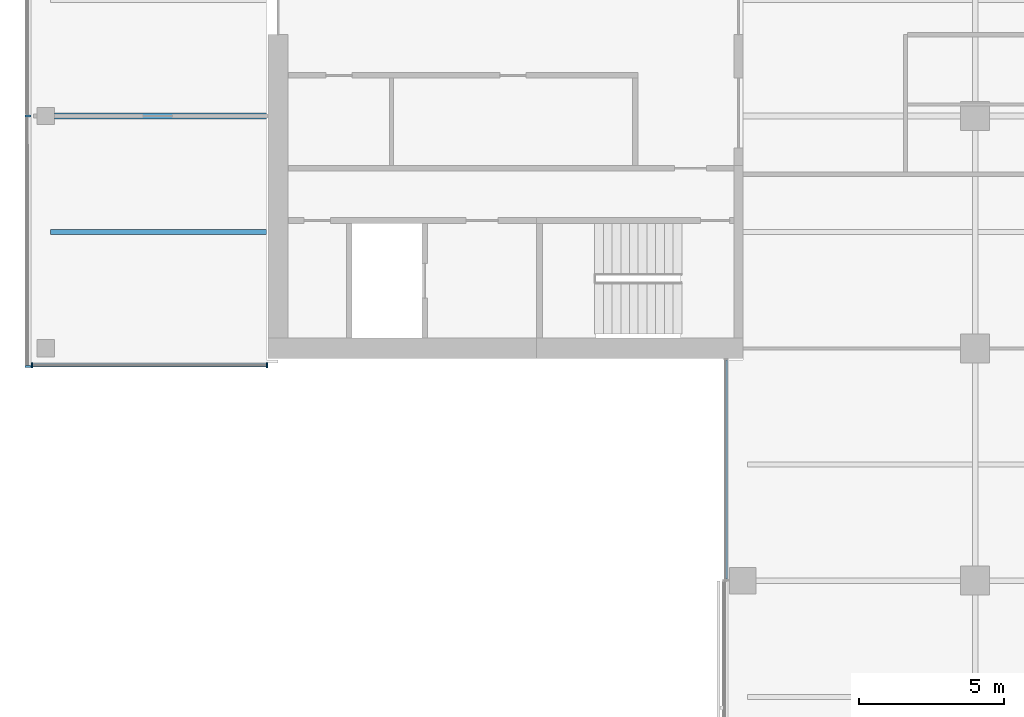
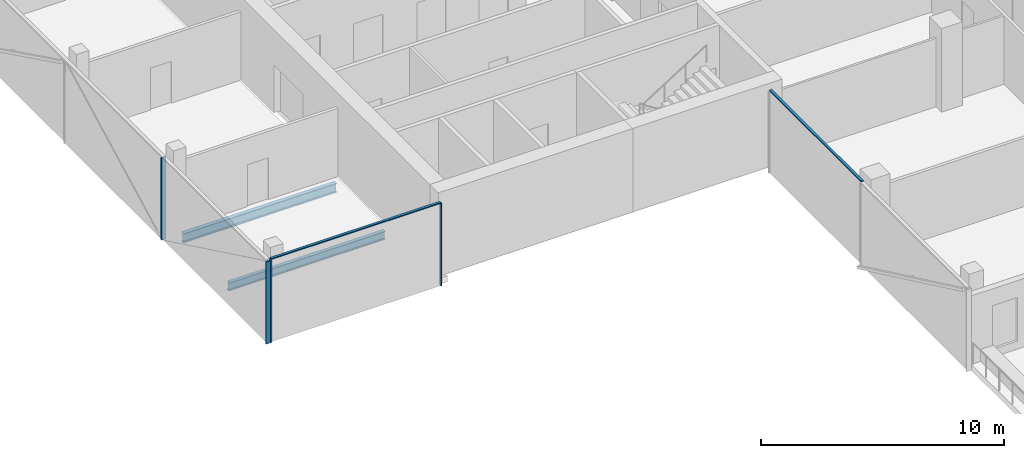
# One storey, part 3 of 24: 6 members, 2 beams, 3 elements without a shape of their own.
"""IFC4 building model written with IfcOpenShell, lengths in metres."""

from ifc_helpers import new_model, si_unit, direction, frame, origin, origin_2d, place, context, subcontext, project, spatial, rectangle, i_section, extrude, material, material_profile, profile_set, type_object, element, aggregate, save


model = new_model("IFC4")

# Units and contexts
model_context = context("Model", 3, precision=1e-05, world=origin(), true_north=direction((0.0, 1.0)))
body_context = subcontext(model_context, "Body", "Model", "MODEL_VIEW")
ifc_project = project(units=[si_unit("LENGTHUNIT", "METRE"), si_unit("AREAUNIT", "SQUARE_METRE"), si_unit("VOLUMEUNIT", "CUBIC_METRE"), si_unit("PLANEANGLEUNIT", "RADIAN"), si_unit("MASSUNIT", "GRAM", prefix="KILO")], contexts=[model_context])

# Site, building, storey
site_placement = place(None, origin())
site = spatial("IfcSite", under=ifc_project, at=site_placement, CompositionType="ELEMENT")
building_placement = place(site_placement, origin())
building = spatial("IfcBuilding", under=site, at=building_placement, Name="Crosswind Convention Tower", CompositionType="ELEMENT")
storey_placement = place(building_placement, frame((0.0, 0.0, 112.699951171875)))
storey = spatial("IfcBuildingStorey", under=building, at=storey_placement, Name="L22", CompositionType="ELEMENT", Elevation=112.699951171875)

# Beam
ifc_material_1 = material(Name="Steel S355", Category="steel")
ifc_material_profile_1 = material_profile(ifc_material_1, i_section(OverallWidth=0.19189453125, OverallDepth=0.463623046875, WebThickness=0.010498046875, FlangeThickness=0.017578125, FilletRadius=0.01025390625, at=origin_2d()), Name="UB 457x191x90")
ifc_profile_set_1 = profile_set([ifc_material_profile_1], Name="Steel S355")
beam_type_1 = type_object("IfcBeamType", Name="Girder at core wall UB 457x191x90", PredefinedType="BEAM", material=ifc_profile_set_1)
beam_1_placement = place(storey_placement, frame((89.300048828125, 96.0, -0.53173828125), z_axis=(1.0, 0.0, 0.0), x_axis=(0.0, 1.0, 0.0)))
element("IfcBeam", 1, at=beam_1_placement, inside=storey, type_object=beam_type_1, Name="B24 L22 girder at core wall 1", PredefinedType="BEAM", context=body_context, shape_type="SweptSolid", body=[
    extrude(i_section(OverallWidth=0.19189453125, OverallDepth=0.463623046875, WebThickness=0.010498046875, FlangeThickness=0.017578125, FilletRadius=0.01025390625, at=origin_2d()), origin(), (0.0, 0.0, 1.0), 7.300048828125),
])

# Curtain wall, members
ifc_material_2 = material(Name="Aluminium unitised curtain wall", Category="aluminium")
curtain_wall_type_1 = type_object("IfcCurtainWallType", Name="CORE END SLOT WALL 160", PredefinedType="USERDEFINED", material=ifc_material_2)
curtain_wall_1_placement = place(storey_placement, origin())
curtain_wall_1 = element("IfcCurtainWall", 2, at=curtain_wall_1_placement, inside=storey, type_object=curtain_wall_type_1, Name="CW6 L22 W-S.1-1 slot", ObjectType="UNITISED", PredefinedType="USERDEFINED")
ifc_material_3 = material(Name="Aluminium mullion", Category="aluminium")
ifc_material_profile_2 = material_profile(ifc_material_3, rectangle(XDim=0.159912109375, YDim=0.050048828125, at=origin_2d()), Name="AL 160X50")
ifc_profile_set_2 = profile_set([ifc_material_profile_2], Name="Aluminium mullion")
member_type_1 = type_object("IfcMemberType", Name="MULLION 50X160", PredefinedType="MULLION", material=ifc_profile_set_2)
member_1_placement = place(storey_placement, frame((88.52490234375, 87.419921875, -0.300048828125), z_axis=(0.0, 0.0, 1.0), x_axis=(0.0, -1.0, 0.0)))
member_1 = element("IfcMember", 3, at=member_1_placement, type_object=member_type_1, Name="CW6 mullion 1", PredefinedType="MULLION", context=body_context, shape_type="SweptSolid", body=[
    extrude(rectangle(XDim=0.159912109375, YDim=0.050048828125, at=origin_2d()), origin(), (0.0, 0.0, 1.0), 4.150146484375),
])
member_2_placement = place(storey_placement, frame((96.625, 87.419921875, -0.300048828125), z_axis=(0.0, 0.0, 1.0), x_axis=(0.0, -1.0, 0.0)))
member_2 = element("IfcMember", 4, at=member_2_placement, type_object=member_type_1, Name="CW6 mullion 2", PredefinedType="MULLION", context=body_context, shape_type="SweptSolid", body=[
    extrude(rectangle(XDim=0.159912109375, YDim=0.050048828125, at=origin_2d()), origin(), (0.0, 0.0, 1.0), 4.150146484375),
])

curtain_wall_type_2 = type_object("IfcCurtainWallType", Name="OFFICE UNITISED WALL 220", PredefinedType="USERDEFINED", material=ifc_material_2)
curtain_wall_2_placement = place(storey_placement, origin())
curtain_wall_2 = element("IfcCurtainWall", 5, at=curtain_wall_2_placement, inside=storey, type_object=curtain_wall_type_2, Name="CW3 L22 W-TIP 1", ObjectType="UNITISED", PredefinedType="USERDEFINED")
ifc_material_profile_3 = material_profile(ifc_material_3, rectangle(XDim=0.219970703125, YDim=0.070068359375, at=origin_2d()), Name="AL 220X70")
ifc_profile_set_3 = profile_set([ifc_material_profile_3], Name="Aluminium mullion")
member_type_2 = type_object("IfcMemberType", Name="MULLION 70X220", PredefinedType="MULLION", material=ifc_profile_set_3)
member_3_placement = place(storey_placement, frame((88.389892578125, 96.0, -0.300048828125), z_axis=(0.0, 0.0, 1.0), x_axis=(-1.0, 0.0, 0.0)))
member_3 = element("IfcMember", 6, at=member_3_placement, type_object=member_type_2, Name="CW3 mullion 3", PredefinedType="MULLION", context=body_context, shape_type="SweptSolid", body=[
    extrude(rectangle(XDim=0.219970703125, YDim=0.070068359375, at=origin_2d()), origin(), (0.0, 0.0, 1.0), 4.130126953125),
])
member_4_placement = place(storey_placement, frame((88.389892578125, 87.375, -0.300048828125), z_axis=(0.0, 0.0, 1.0), x_axis=(-1.0, 0.0, 0.0)))
member_4 = element("IfcMember", 7, at=member_4_placement, type_object=member_type_2, Name="CW3 mullion 4", PredefinedType="MULLION", context=body_context, shape_type="SweptSolid", body=[
    extrude(rectangle(XDim=0.219970703125, YDim=0.070068359375, at=origin_2d()), origin(), (0.0, 0.0, 1.0), 4.130126953125),
])
aggregate(curtain_wall_2, [member_3, member_4])

# Beam
ifc_material_profile_4 = material_profile(ifc_material_1, i_section(OverallWidth=0.177734375, OverallDepth=0.406494140625, WebThickness=0.0078125, FlangeThickness=0.0126953125, FilletRadius=0.01025390625, at=origin_2d()), Name="UB 406x178x60")
ifc_profile_set_4 = profile_set([ifc_material_profile_4], Name="Steel S355")
beam_type_2 = type_object("IfcBeamType", Name="Secondary beam UB 406x178x60", PredefinedType="JOIST", material=ifc_profile_set_4)
beam_2_placement = place(storey_placement, frame((89.156982421875, 92.0, -0.503173828125), z_axis=(1.0, 0.0, 0.0), x_axis=(0.0, 1.0, 0.0)))
element("IfcBeam", 8, at=beam_2_placement, inside=storey, type_object=beam_type_2, Name="B10 L22 secondary beam 1", PredefinedType="JOIST", context=body_context, shape_type="SweptSolid", body=[
    extrude(i_section(OverallWidth=0.177734375, OverallDepth=0.406494140625, WebThickness=0.0078125, FlangeThickness=0.0126953125, FilletRadius=0.01025390625, at=origin_2d()), origin(), (0.0, 0.0, 1.0), 7.443115234375),
])

# Member
ifc_material_4 = material(Name="Aluminium transom", Category="aluminium")
ifc_material_profile_5 = material_profile(ifc_material_4, rectangle(XDim=0.1201171875, YDim=0.050048828125, at=origin_2d()), Name="AL 120X50")
ifc_profile_set_5 = profile_set([ifc_material_profile_5], Name="Aluminium transom")
member_type_3 = type_object("IfcMemberType", Name="TRANSOM 50X120", PredefinedType="USERDEFINED", material=ifc_profile_set_5)
member_5_placement = place(storey_placement, frame((88.550048828125, 87.419921875, 3.875), z_axis=(1.0, 0.0, 0.0), x_axis=(0.0, 1.0, 0.0)))
member_5 = element("IfcMember", 9, at=member_5_placement, type_object=member_type_3, Name="CW6 transom", ObjectType="TRANSOM", PredefinedType="USERDEFINED", context=body_context, shape_type="SweptSolid", body=[
    extrude(rectangle(XDim=0.1201171875, YDim=0.050048828125, at=origin_2d()), origin(), (0.0, 0.0, 1.0), 8.050048828125),
])

aggregate(curtain_wall_1, [member_1, member_2, member_5])

# Curtain wall, member
curtain_wall_3_placement = place(storey_placement, origin())
curtain_wall_3 = element("IfcCurtainWall", 10, at=curtain_wall_3_placement, inside=storey, type_object=curtain_wall_type_1, Name="CW6 L22 S-W.1-1 slot", ObjectType="UNITISED", PredefinedType="USERDEFINED")
member_6_placement = place(storey_placement, frame((112.419921875, 87.60009765625, 3.875), z_axis=(0.0, -1.0, 0.0), x_axis=(1.0, 0.0, 0.0)))
member_6 = element("IfcMember", 11, at=member_6_placement, type_object=member_type_3, Name="CW6 transom", ObjectType="TRANSOM", PredefinedType="USERDEFINED", context=body_context, shape_type="SweptSolid", body=[
    extrude(rectangle(XDim=0.1201171875, YDim=0.050048828125, at=origin_2d()), origin(), (0.0, 0.0, 1.0), 7.550048828125),
])
aggregate(curtain_wall_3, [member_6])

save(model, "model.ifc")
